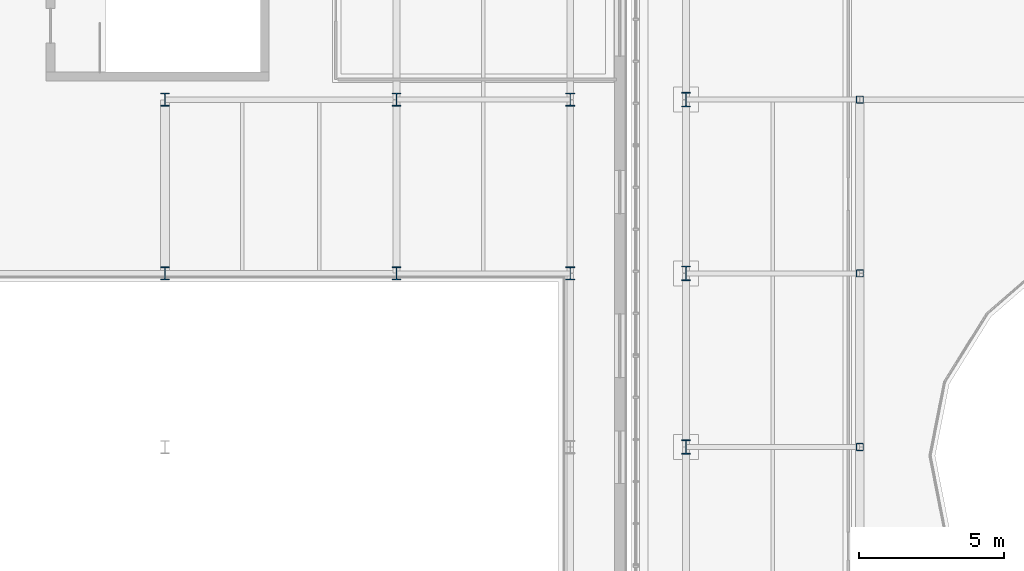
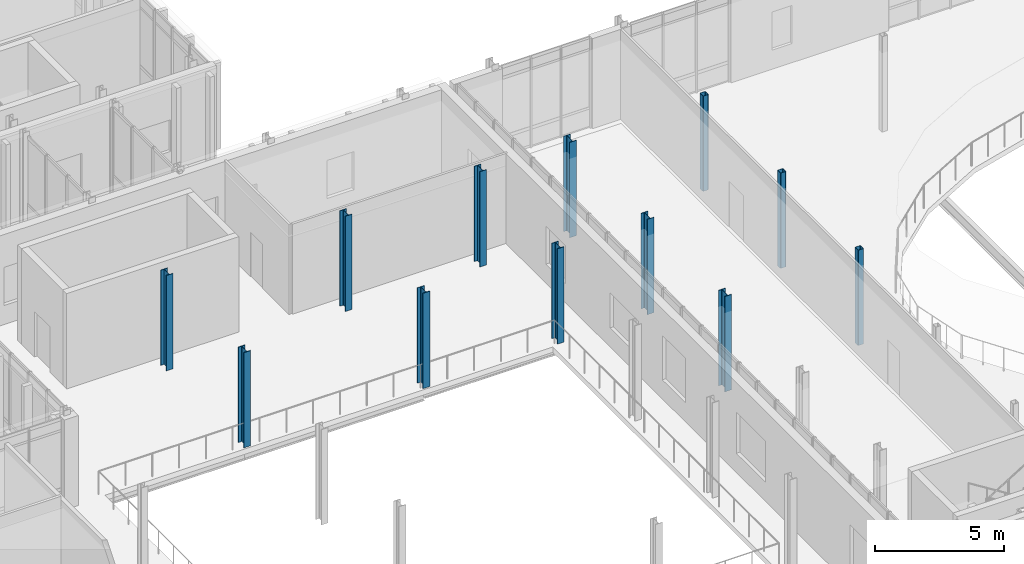
# One storey, part 3 of 100: 12 columns.
"""IFC4 building model written with IfcOpenShell, lengths in metres."""

from ifc_helpers import new_model, si_unit, direction, frame, origin, origin_2d, place, context, subcontext, project, spatial, hollow_rectangle, i_section, extrude, material, material_profile, profile_set, type_object, element, save


model = new_model("IFC4")

# Units and contexts
model_context = context("Model", 3, precision=1e-05, world=origin(), true_north=direction((0.0, 1.0)))
body_context = subcontext(model_context, "Body", "Model", "MODEL_VIEW")
ifc_project = project(units=[si_unit("LENGTHUNIT", "METRE"), si_unit("AREAUNIT", "SQUARE_METRE"), si_unit("VOLUMEUNIT", "CUBIC_METRE"), si_unit("PLANEANGLEUNIT", "RADIAN"), si_unit("MASSUNIT", "GRAM", prefix="KILO")], contexts=[model_context])

# Site, building, storey
site_placement = place(None, origin())
site = spatial("IfcSite", under=ifc_project, at=site_placement, CompositionType="ELEMENT")
building_placement = place(site_placement, origin())
building = spatial("IfcBuilding", under=site, at=building_placement, Name="Cymarion Research Institute", CompositionType="ELEMENT")
storey_placement = place(building_placement, frame((0.0, 0.0, 9.300048828125)))
storey = spatial("IfcBuildingStorey", under=building, at=storey_placement, Name="L02", CompositionType="ELEMENT", Elevation=9.300048828125)

# Columns
ifc_material = material(Name="Steel S355", Category="steel")
ifc_material_profile_1 = material_profile(ifc_material, i_section(OverallWidth=0.300048828125, OverallDepth=0.5, WebThickness=0.014404296875, FlangeThickness=0.028076171875, FilletRadius=0.027099609375, at=origin_2d()), Name="HEB 500")
ifc_profile_set_1 = profile_set([ifc_material_profile_1], Name="Steel S355")
column_type_1 = type_object("IfcColumnType", Name="STRUCTURAL COLUMN C04 HEB 500", PredefinedType="COLUMN", material=ifc_profile_set_1)
for number, where, z_axis, x_axis, name in (
    (1, (56.60009765625, 23.5, 0.0), (0.0, 0.0, 1.0), (1.0, 0.0, 0.0), "L02 V2 column C04 #770"),
    (2, (56.60009765625, 29.5, 0.0), (0.0, 0.0, 1.0), (1.0, 0.0, 0.0), "L02 V2 column C04 #771"),
    (3, (56.60009765625, 35.5, 0.0), (0.0, 0.0, 1.0), (1.0, 0.0, 0.0), "L02 V2 column C04 #772"),
):
    element("IfcColumn", number, at=place(storey_placement, frame(where, z_axis=z_axis, x_axis=x_axis)), inside=storey, type_object=column_type_1, Name=name, PredefinedType="COLUMN", context=body_context, shape_type="SweptSolid", body=[
        extrude(i_section(OverallWidth=0.300048828125, OverallDepth=0.5, WebThickness=0.014404296875, FlangeThickness=0.028076171875, FilletRadius=0.027099609375, at=origin_2d()), origin(), (0.0, 0.0, 1.0), 4.5),
    ])
ifc_material_profile_2 = material_profile(ifc_material, i_section(OverallWidth=0.300048828125, OverallDepth=0.449951171875, WebThickness=0.013916015625, FlangeThickness=0.02587890625, FilletRadius=0.027099609375, at=origin_2d()), Name="HEB 450")
ifc_profile_set_2 = profile_set([ifc_material_profile_2], Name="Steel S355")
column_type_2 = type_object("IfcColumnType", Name="STRUCTURAL COLUMN C05 HEB 450", PredefinedType="COLUMN", material=ifc_profile_set_2)
for number, where, z_axis, x_axis, name in (
    (4, (38.60009765625, 29.5, 0.0), (0.0, 0.0, 1.0), (1.0, 0.0, 0.0), "L02 V3 column C05 #728"),
    (5, (38.60009765625, 35.5, 0.0), (0.0, 0.0, 1.0), (1.0, 0.0, 0.0), "L02 V3 column C05 #729"),
    (6, (46.60009765625, 29.5, 0.0), (0.0, 0.0, 1.0), (1.0, 0.0, 0.0), "L02 V3 column C05 #748"),
    (7, (46.60009765625, 35.5, 0.0), (0.0, 0.0, 1.0), (1.0, 0.0, 0.0), "L02 V3 column C05 #749"),
    (8, (52.60009765625, 29.5, 0.0), (0.0, 0.0, 1.0), (1.0, 0.0, 0.0), "L02 V3 column C05 #764"),
    (9, (52.60009765625, 35.5, 0.0), (0.0, 0.0, 1.0), (1.0, 0.0, 0.0), "L02 V3 column C05 #765"),
):
    element("IfcColumn", number, at=place(storey_placement, frame(where, z_axis=z_axis, x_axis=x_axis)), inside=storey, type_object=column_type_2, Name=name, PredefinedType="COLUMN", context=body_context, shape_type="SweptSolid", body=[
        extrude(i_section(OverallWidth=0.300048828125, OverallDepth=0.449951171875, WebThickness=0.013916015625, FlangeThickness=0.02587890625, FilletRadius=0.027099609375, at=origin_2d()), origin(), (0.0, 0.0, 1.0), 4.5),
    ])
ifc_material_profile_3 = material_profile(ifc_material, hollow_rectangle(XDim=0.25, YDim=0.25, WallThickness=0.012451171875, InnerFilletRadius=0.018798828125, OuterFilletRadius=0.03125, at=origin_2d()), Name="SHS 250x250x12.5")
ifc_profile_set_3 = profile_set([ifc_material_profile_3], Name="Steel S355")
column_type_3 = type_object("IfcColumnType", Name="STRUCTURAL COLUMN C15 SHS 250x250x12.5", PredefinedType="COLUMN", material=ifc_profile_set_3)
for number, where, z_axis, x_axis, name in (
    (10, (62.60009765625, 23.5, 0.0), (0.0, 0.0, 1.0), (1.0, 0.0, 0.0), "L02 V2 column C15 #778"),
    (11, (62.60009765625, 29.5, 0.0), (0.0, 0.0, 1.0), (1.0, 0.0, 0.0), "L02 V2 column C15 #779"),
    (12, (62.60009765625, 35.5, 0.0), (0.0, 0.0, 1.0), (1.0, 0.0, 0.0), "L02 V2 column C15 #780"),
):
    element("IfcColumn", number, at=place(storey_placement, frame(where, z_axis=z_axis, x_axis=x_axis)), inside=storey, type_object=column_type_3, Name=name, PredefinedType="COLUMN", context=body_context, shape_type="SweptSolid", body=[
        extrude(hollow_rectangle(XDim=0.25, YDim=0.25, WallThickness=0.012451171875, InnerFilletRadius=0.018798828125, OuterFilletRadius=0.03125, at=origin_2d()), origin(), (0.0, 0.0, 1.0), 4.5),
    ])

save(model, "model.ifc")
